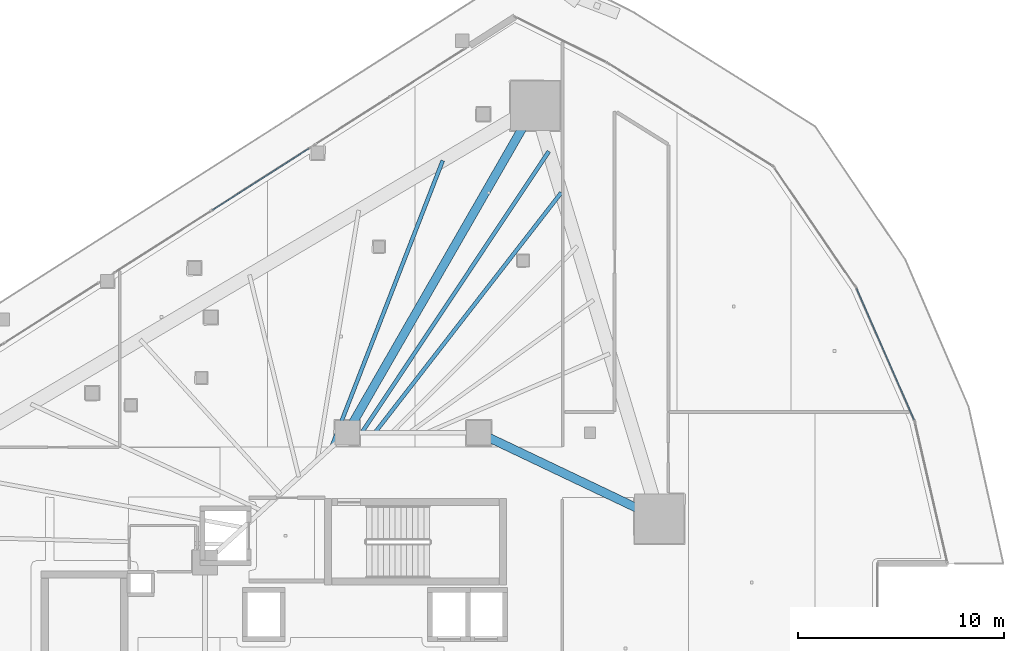
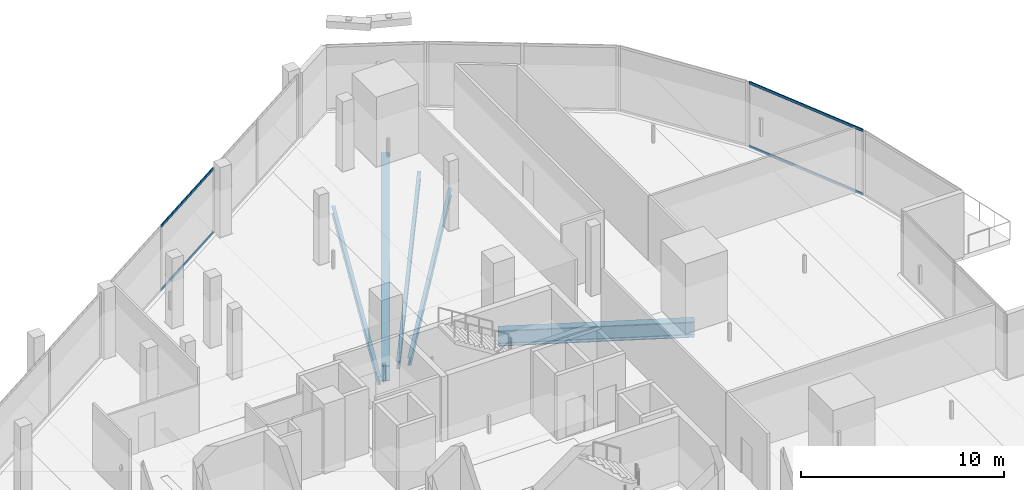
# One storey, part 21 of 45: 5 beams, 4 members, 2 elements without a shape of their own.
"""IFC4 building model written with IfcOpenShell, lengths in metres."""

from ifc_helpers import new_model, si_unit, direction, frame, origin, origin_2d, place, context, subcontext, project, spatial, hollow_rectangle, i_section, extrude, material, layer, layer_set, material_profile, profile_set, type_object, element, aggregate, save


model = new_model("IFC4")

# Units and contexts
model_context = context("Model", 3, precision=1e-05, world=origin(), true_north=direction((0.0, 1.0)))
body_context = subcontext(model_context, "Body", "Model", "MODEL_VIEW")
ifc_project = project(units=[si_unit("LENGTHUNIT", "METRE"), si_unit("AREAUNIT", "SQUARE_METRE"), si_unit("VOLUMEUNIT", "CUBIC_METRE"), si_unit("PLANEANGLEUNIT", "RADIAN"), si_unit("MASSUNIT", "GRAM", prefix="KILO")], contexts=[model_context])

# Site, building, storey
site_placement = place(None, origin())
site = spatial("IfcSite", under=ifc_project, at=site_placement, CompositionType="ELEMENT")
building_placement = place(site_placement, origin())
building = spatial("IfcBuilding", under=site, at=building_placement, Name="Qorvath Tower", CompositionType="ELEMENT")
storey_placement = place(building_placement, frame((0.0, 0.0, 95.39990234375)))
storey = spatial("IfcBuildingStorey", under=building, at=storey_placement, Name="L21", CompositionType="ELEMENT", Elevation=95.39990234375)

# Beams
ifc_material_1 = material(Name="Steel ASTM A992 Grade 50", Category="steel")
ifc_material_profile_1 = material_profile(ifc_material_1, i_section(OverallWidth=0.422119140625, OverallDepth=0.93310546875, WebThickness=0.021240234375, FlangeThickness=0.039794921875, FilletRadius=0.02392578125, at=origin_2d()), Name="W36x262")
ifc_profile_set_1 = profile_set([ifc_material_profile_1], Name="Steel ASTM A992 Grade 50")
beam_type_1 = type_object("IfcBeamType", Name="BM-FG1", PredefinedType="BEAM", material=ifc_profile_set_1)
beam_1_placement = place(storey_placement, frame((-23.60009765625, 11.449951171875, -0.746337890625), z_axis=(0.498645367714, 0.866806089767, 0.0), x_axis=(-0.866806089767, 0.498645367714, 0.0)))
element("IfcBeam", 1, at=beam_1_placement, inside=storey, type_object=beam_type_1, Name="Radial Floor Girder CC1-MC6 L21", PredefinedType="BEAM", context=body_context, shape_type="SweptSolid", body=[
    extrude(i_section(OverallWidth=0.422119140625, OverallDepth=0.93310546875, WebThickness=0.021240234375, FlangeThickness=0.039794921875, FilletRadius=0.02392578125, at=origin_2d()), origin(), (0.0, 0.0, 1.0), 18.321044921875),
])
beam_2_placement = place(storey_placement, frame((-17.199951171875, 11.449951171875, -0.746337890625), z_axis=(0.902955751435, -0.429733534821, 0.0), x_axis=(0.429733534821, 0.902955751435, 0.0)))
element("IfcBeam", 2, at=beam_2_placement, inside=storey, type_object=beam_type_1, Name="Radial Floor Girder CC2-MC5 L21", PredefinedType="BEAM", context=body_context, shape_type="SweptSolid", body=[
    extrude(i_section(OverallWidth=0.422119140625, OverallDepth=0.93310546875, WebThickness=0.021240234375, FlangeThickness=0.039794921875, FilletRadius=0.02392578125, at=origin_2d()), origin(), (0.0, 0.0, 1.0), 9.7119140625),
])
ifc_material_2 = material(Name="Steel ASTM A992 Grade 50", Category="steel")
ifc_material_profile_2 = material_profile(ifc_material_2, i_section(OverallWidth=0.18994140625, OverallDepth=0.45703125, WebThickness=0.009033203125, FlangeThickness=0.014404296875, FilletRadius=0.011962890625, at=origin_2d()), Name="W18x50")
ifc_profile_set_2 = profile_set([ifc_material_profile_2], Name="Steel ASTM A992 Grade 50")
beam_type_2 = type_object("IfcBeamType", Name="BM-FJ2", PredefinedType="JOIST", material=ifc_profile_set_2)
beam_3_placement = place(storey_placement, frame((-22.256103515625, 11.449951171875, -0.50830078125), z_axis=(0.613206963859, 0.789922286984, 0.0), x_axis=(-0.789922286984, 0.613206963859, 0.0)))
element("IfcBeam", 3, at=beam_3_placement, inside=storey, type_object=beam_type_2, Name="Composite Floor Joist NE6 L21", PredefinedType="JOIST", context=body_context, shape_type="SweptSolid", body=[
    extrude(i_section(OverallWidth=0.18994140625, OverallDepth=0.45703125, WebThickness=0.009033203125, FlangeThickness=0.014404296875, FilletRadius=0.011962890625, at=origin_2d()), origin(), (0.0, 0.0, 1.0), 14.77294921875),
])
beam_4_placement = place(storey_placement, frame((-22.89599609375, 11.449951171875, -0.50830078125), z_axis=(0.553811384989, 0.83264214994, 0.0), x_axis=(-0.83264214994, 0.553811384989, 0.0)))
element("IfcBeam", 4, at=beam_4_placement, inside=storey, type_object=beam_type_2, Name="Composite Floor Joist NE7 L21", PredefinedType="JOIST", context=body_context, shape_type="SweptSolid", body=[
    extrude(i_section(OverallWidth=0.18994140625, OverallDepth=0.45703125, WebThickness=0.009033203125, FlangeThickness=0.014404296875, FilletRadius=0.011962890625, at=origin_2d()), origin(), (0.0, 0.0, 1.0), 16.42333984375),
])
beam_5_placement = place(storey_placement, frame((-24.35888671875, 10.757080078125, -0.50830078125), z_axis=(0.361964096586, 0.93219203643, 0.0), x_axis=(-0.93219203643, 0.361964096586, 0.0)))
element("IfcBeam", 5, at=beam_5_placement, inside=storey, type_object=beam_type_2, Name="Composite Floor Joist NW7 L21", PredefinedType="JOIST", context=body_context, shape_type="SweptSolid", body=[
    extrude(i_section(OverallWidth=0.18994140625, OverallDepth=0.45703125, WebThickness=0.009033203125, FlangeThickness=0.014404296875, FilletRadius=0.011962890625, at=origin_2d()), origin(), (0.0, 0.0, 1.0), 14.93115234375),
])

# Curtain wall, members
ifc_material_3 = material(Name="Anodised aluminium and triple low-E glass", Category="aluminium")
ifc_layer = layer(ifc_material_3, 0.179931640625)
ifc_layer_set = layer_set([ifc_layer], Name="CW-SYS-2")
curtain_wall_type = type_object("IfcCurtainWallType", Name="CW-SYS-2", PredefinedType="NOTDEFINED", material=ifc_layer_set)
curtain_wall_1_placement = place(storey_placement, origin())
curtain_wall_1 = element("IfcCurtainWall", 6, at=curtain_wall_1_placement, inside=storey, type_object=curtain_wall_type, Name="Curtain Wall CW-2 CW-T-L21-12.1", PredefinedType="NOTDEFINED")
ifc_material_4 = material(Name="Anodised aluminium 6063-T6", Category="aluminium")
ifc_material_profile_3 = material_profile(ifc_material_4, hollow_rectangle(XDim=0.06494140625, YDim=0.159912109375, WallThickness=0.00341796875, InnerFilletRadius=0.00341796875, OuterFilletRadius=0.007080078125, at=origin_2d()), Name="CWT 160x65")
ifc_profile_set_3 = profile_set([ifc_material_profile_3], Name="Anodised aluminium 6063-T6")
member_type = type_object("IfcMemberType", Name="CWT-160", PredefinedType="USERDEFINED", material=ifc_profile_set_3)
member_1_placement = place(storey_placement, frame((3.947021484375, 12.074951171875, 0.032470703125), z_axis=(-0.40148574416, 0.915865272426, 0.0), x_axis=(-0.915865272426, -0.40148574416, 0.0)))
member_1 = element("IfcMember", 7, at=member_1_placement, type_object=member_type, Name="CW-2 transom 1.1", ObjectType="TRANSOM", PredefinedType="USERDEFINED", context=body_context, shape_type="SweptSolid", body=[
    extrude(hollow_rectangle(XDim=0.06494140625, YDim=0.159912109375, WallThickness=0.00341796875, InnerFilletRadius=0.00341796875, OuterFilletRadius=0.007080078125, at=origin_2d()), origin(), (0.0, 0.0, 1.0), 6.969970703125),
])
member_2_placement = place(storey_placement, frame((3.947021484375, 12.074951171875, 3.86767578125), z_axis=(-0.40148574416, 0.915865272426, 0.0), x_axis=(-0.915865272426, -0.40148574416, 0.0)))
member_2 = element("IfcMember", 8, at=member_2_placement, type_object=member_type, Name="CW-2 transom 1.2", ObjectType="TRANSOM", PredefinedType="USERDEFINED", context=body_context, shape_type="SweptSolid", body=[
    extrude(hollow_rectangle(XDim=0.06494140625, YDim=0.159912109375, WallThickness=0.00341796875, InnerFilletRadius=0.00341796875, OuterFilletRadius=0.007080078125, at=origin_2d()), origin(), (0.0, 0.0, 1.0), 6.969970703125),
])
aggregate(curtain_wall_1, [member_1, member_2])

curtain_wall_2_placement = place(storey_placement, origin())
curtain_wall_2 = element("IfcCurtainWall", 9, at=curtain_wall_2_placement, inside=storey, type_object=curtain_wall_type, Name="Curtain Wall CW-2 CW-T-L21-16.3", PredefinedType="NOTDEFINED")
member_3_placement = place(storey_placement, frame((-25.46240234375, 25.260498046875, 0.032470703125), z_axis=(-0.842604426813, -0.538532988697, 0.0), x_axis=(0.538532988697, -0.842604426813, 0.0)))
member_3 = element("IfcMember", 10, at=member_3_placement, type_object=member_type, Name="CW-2 transom 1.1", ObjectType="TRANSOM", PredefinedType="USERDEFINED", context=body_context, shape_type="SweptSolid", body=[
    extrude(hollow_rectangle(XDim=0.06494140625, YDim=0.159912109375, WallThickness=0.00341796875, InnerFilletRadius=0.00341796875, OuterFilletRadius=0.007080078125, at=origin_2d()), origin(), (0.0, 0.0, 1.0), 5.5625),
])
member_4_placement = place(storey_placement, frame((-25.46240234375, 25.260498046875, 3.86767578125), z_axis=(-0.842604426813, -0.538532988697, 0.0), x_axis=(0.538532988697, -0.842604426813, 0.0)))
member_4 = element("IfcMember", 11, at=member_4_placement, type_object=member_type, Name="CW-2 transom 1.2", ObjectType="TRANSOM", PredefinedType="USERDEFINED", context=body_context, shape_type="SweptSolid", body=[
    extrude(hollow_rectangle(XDim=0.06494140625, YDim=0.159912109375, WallThickness=0.00341796875, InnerFilletRadius=0.00341796875, OuterFilletRadius=0.007080078125, at=origin_2d()), origin(), (0.0, 0.0, 1.0), 5.5625),
])
aggregate(curtain_wall_2, [member_3, member_4])

save(model, "model.ifc")
